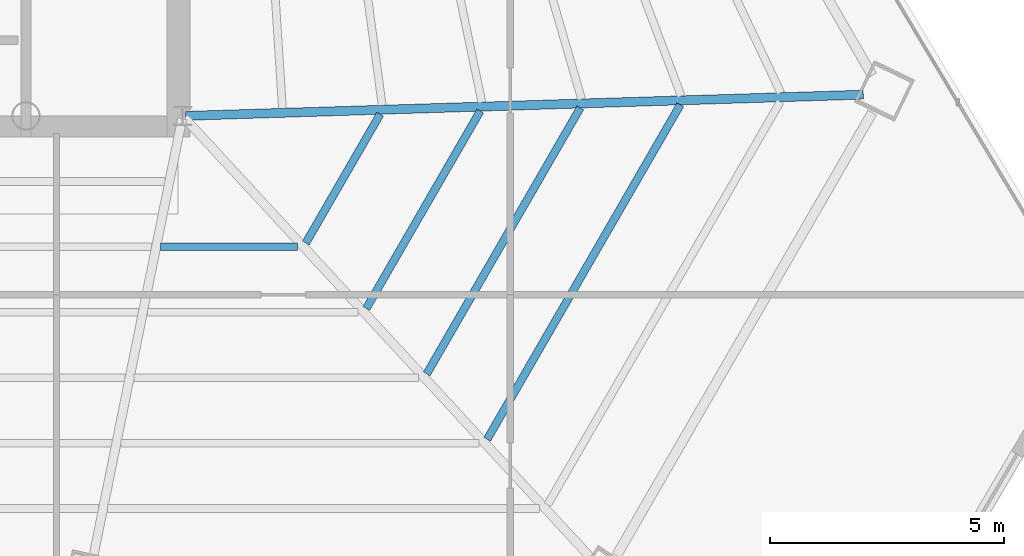
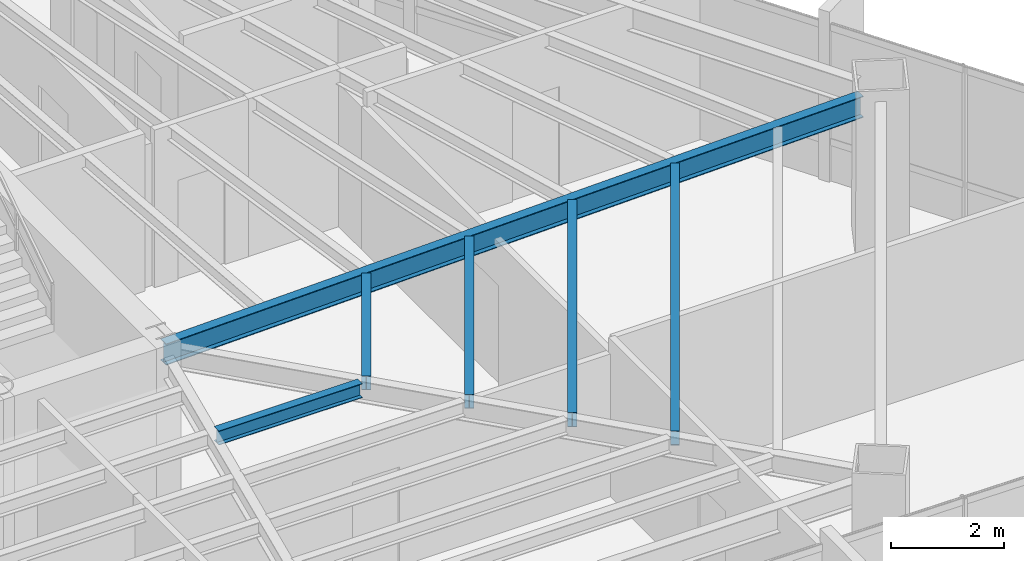
# One storey, part 19 of 41: 6 beams.
"""IFC4 building model written with IfcOpenShell, lengths in metres."""

from ifc_helpers import new_model, si_unit, direction, frame, origin, origin_2d, place, context, subcontext, project, spatial, i_section, extrude, source, transform, mapped, material, material_profile, profile_set, type_object, type_shapes, element, save


model = new_model("IFC4")

# Units and contexts
model_context = context("Model", 3, precision=1e-05, world=origin(), true_north=direction((0.0, 1.0)))
body_context = subcontext(model_context, "Body", "Model", "MODEL_VIEW")
ifc_project = project(units=[si_unit("LENGTHUNIT", "METRE"), si_unit("AREAUNIT", "SQUARE_METRE"), si_unit("VOLUMEUNIT", "CUBIC_METRE"), si_unit("PLANEANGLEUNIT", "RADIAN"), si_unit("MASSUNIT", "GRAM", prefix="KILO")], contexts=[model_context])

# Site, building, storey
site_placement = place(None, origin())
site = spatial("IfcSite", under=ifc_project, at=site_placement, CompositionType="ELEMENT")
building_placement = place(site_placement, origin())
building = spatial("IfcBuilding", under=site, at=building_placement, Name="Caelisora Broadcast Tower", CompositionType="ELEMENT")
storey_placement = place(building_placement, frame((0.0, 0.0, 165.800048828125)))
storey = spatial("IfcBuildingStorey", under=building, at=storey_placement, Name="L43", CompositionType="ELEMENT", Elevation=165.800048828125)

# Beams
ifc_material = material(Name="Steel Grade 350 (AS/NZS 3679.1)", Category="steel")
ifc_material_profile_1 = material_profile(ifc_material, i_section(OverallWidth=0.19091796875, OverallDepth=0.46044921875, WebThickness=0.010009765625, FlangeThickness=0.01611328125, at=origin_2d()), Name="Steel Grade 350 (AS/NZS 3679.1)")
ifc_profile_set_1 = profile_set([ifc_material_profile_1], Name="Steel Grade 350 (AS/NZS 3679.1)")
beam_type_1 = type_object("IfcBeamType", Name="PG06", PredefinedType="BEAM", material=ifc_profile_set_1)
shared_shape_1 = source(origin(), body_context, "Body", "SweptSolid", [
    extrude(i_section(OverallWidth=0.19091796875, OverallDepth=0.46044921875, WebThickness=0.010009765625, FlangeThickness=0.01611328125, at=origin_2d()), origin(), (0.0, 0.0, 1.0), 14.492919921875),
])
type_shapes(beam_type_1, [shared_shape_1])
beam_1_placement = place(storey_placement, frame((45.56005859375, 17.40185546875, 3.169677734375), z_axis=(0.999509541876, 0.031315742042, 0.0), x_axis=(-0.031315742042, 0.999509541876, 0.0)))
element("IfcBeam", 1, at=beam_1_placement, inside=storey, type_object=beam_type_1, Name="L43 beam PG06", PredefinedType="BEAM", context=body_context, shape_type="MappedRepresentation", body=[
    mapped(shared_shape_1, transform((0.0, 0.0, 0.0), scale=1.0)),
])
ifc_material_profile_2 = material_profile(ifc_material, i_section(OverallWidth=0.166015625, OverallDepth=0.30712890625, WebThickness=0.006591796875, FlangeThickness=0.01171875, at=origin_2d()), Name="Steel Grade 350 (AS/NZS 3679.1)")
ifc_profile_set_2 = profile_set([ifc_material_profile_2], Name="Steel Grade 350 (AS/NZS 3679.1)")
beam_type_2 = type_object("IfcBeamType", Name="SB03", PredefinedType="JOIST", material=ifc_profile_set_2)
shared_shape_2 = source(origin(), body_context, "Body", "SweptSolid", [
    extrude(i_section(OverallWidth=0.166015625, OverallDepth=0.30712890625, WebThickness=0.006591796875, FlangeThickness=0.01171875, at=origin_2d()), origin(), (0.0, 0.0, 1.0), 3.17822265625),
])
beam_2_placement = place(storey_placement, frame((48.132080078125, 14.686767578125, 3.246337890625), z_axis=(0.499997295977, 0.866026964947, 0.0), x_axis=(-0.866026964947, 0.499997295977, 0.0)))
element("IfcBeam", 2, at=beam_2_placement, inside=storey, type_object=beam_type_2, Name="L43 beam SB03", PredefinedType="JOIST", context=body_context, shape_type="MappedRepresentation", body=[
    mapped(shared_shape_2, transform((0.0, 0.0, 0.0), scale=1.0)),
])
shared_shape_3 = source(origin(), body_context, "Body", "SweptSolid", [
    extrude(i_section(OverallWidth=0.166015625, OverallDepth=0.30712890625, WebThickness=0.006591796875, FlangeThickness=0.01171875, at=origin_2d()), origin(), (0.0, 0.0, 1.0), 4.870361328125),
])
beam_3_placement = place(storey_placement, frame((49.424072265625, 13.2880859375, 3.246337890625), z_axis=(0.499966893215, 0.866044517152, 0.0), x_axis=(-0.866044517152, 0.499966893215, 0.0)))
element("IfcBeam", 3, at=beam_3_placement, inside=storey, type_object=beam_type_2, Name="L43 beam SB03", PredefinedType="JOIST", context=body_context, shape_type="MappedRepresentation", body=[
    mapped(shared_shape_3, transform((0.0, 0.0, 0.0), scale=1.0)),
])
shared_shape_4 = source(origin(), body_context, "Body", "SweptSolid", [
    extrude(i_section(OverallWidth=0.166015625, OverallDepth=0.30712890625, WebThickness=0.006591796875, FlangeThickness=0.01171875, at=origin_2d()), origin(), (0.0, 0.0, 1.0), 6.56298828125),
])
beam_4_placement = place(storey_placement, frame((50.7158203125, 11.889404296875, 3.246337890625), z_axis=(0.500007971981, 0.86602080111, 0.0), x_axis=(-0.86602080111, 0.500007971981, 0.0)))
element("IfcBeam", 4, at=beam_4_placement, inside=storey, type_object=beam_type_2, Name="L43 beam SB03", PredefinedType="JOIST", context=body_context, shape_type="MappedRepresentation", body=[
    mapped(shared_shape_4, transform((0.0, 0.0, 0.0), scale=1.0)),
])
shared_shape_5 = source(origin(), body_context, "Body", "SweptSolid", [
    extrude(i_section(OverallWidth=0.166015625, OverallDepth=0.30712890625, WebThickness=0.006591796875, FlangeThickness=0.01171875, at=origin_2d()), origin(), (0.0, 0.0, 1.0), 8.2548828125),
])
beam_5_placement = place(storey_placement, frame((52.007568359375, 10.490966796875, 3.246337890625), z_axis=(0.500022833518, 0.866012220445, 0.0), x_axis=(-0.866012220445, 0.500022833518, 0.0)))
element("IfcBeam", 5, at=beam_5_placement, inside=storey, type_object=beam_type_2, Name="L43 beam SB03", PredefinedType="JOIST", context=body_context, shape_type="MappedRepresentation", body=[
    mapped(shared_shape_5, transform((0.0, 0.0, 0.0), scale=1.0)),
])
shared_shape_6 = source(origin(), body_context, "Body", "SweptSolid", [
    extrude(i_section(OverallWidth=0.166015625, OverallDepth=0.30712890625, WebThickness=0.006591796875, FlangeThickness=0.01171875, at=origin_2d()), origin(), (0.0, 0.0, 1.0), 2.9296875),
])
type_shapes(beam_type_2, [shared_shape_2, shared_shape_3, shared_shape_4, shared_shape_5, shared_shape_6])
beam_6_placement = place(storey_placement, frame((45.027099609375, 14.602783203125, 3.246337890625), z_axis=(1.0, 0.0, 0.0), x_axis=(0.0, 1.0, 0.0)))
element("IfcBeam", 6, at=beam_6_placement, inside=storey, type_object=beam_type_2, Name="L43 beam SB03", PredefinedType="JOIST", context=body_context, shape_type="MappedRepresentation", body=[
    mapped(shared_shape_6, transform((0.0, 0.0, 0.0), scale=1.0)),
])

save(model, "model.ifc")
